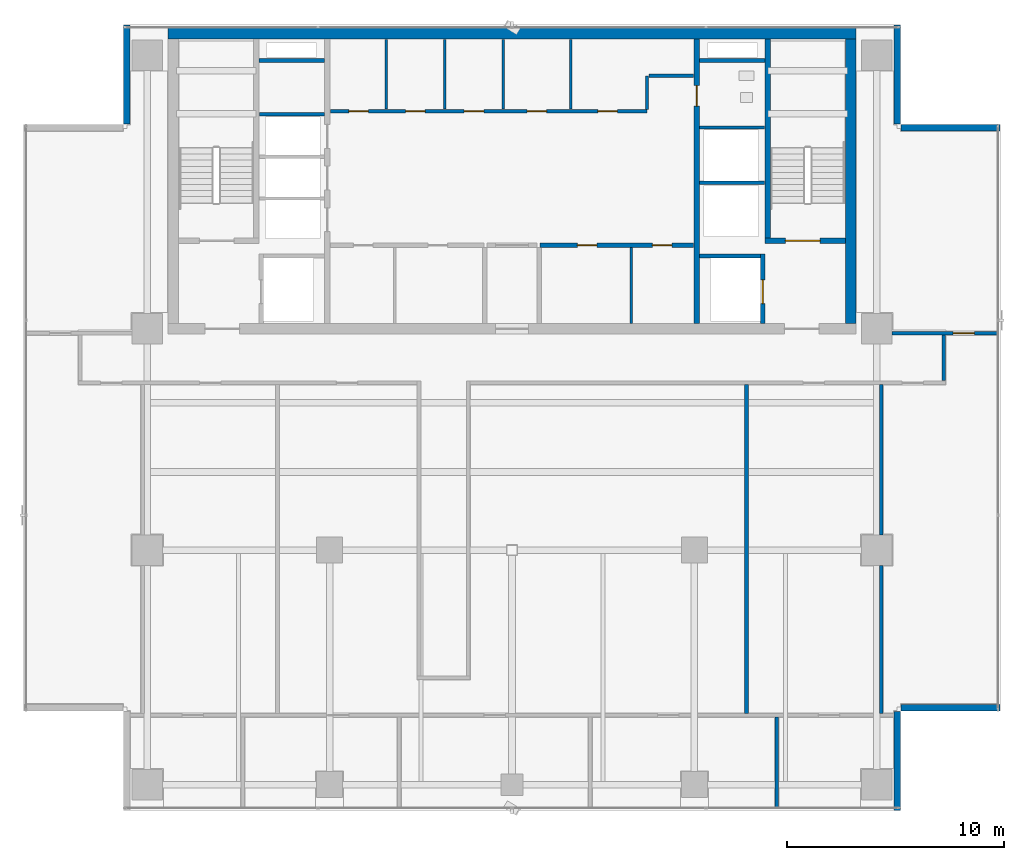
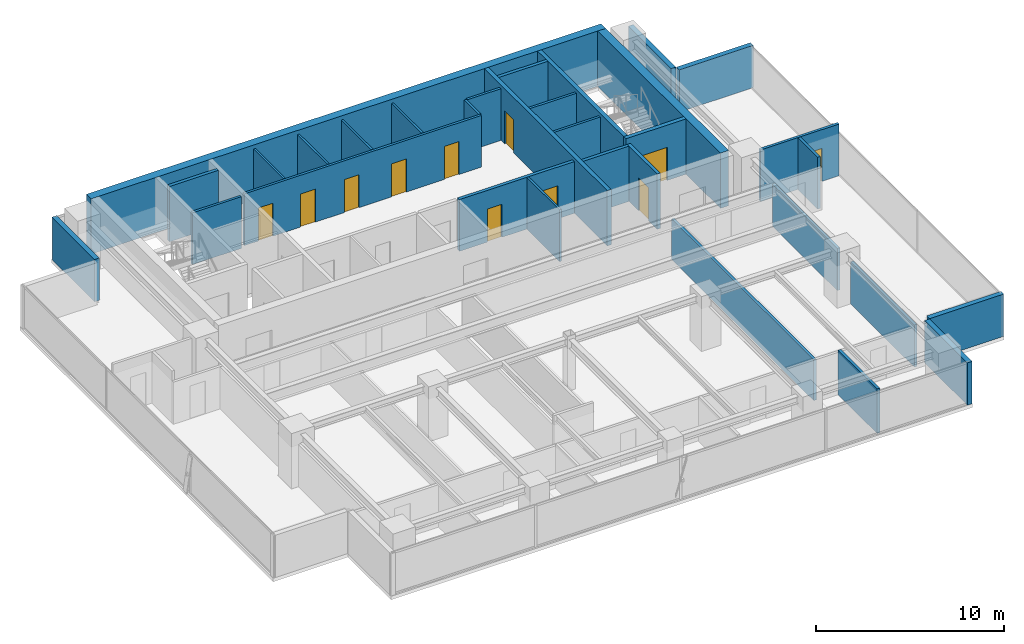
# One storey, part 21 of 26: 32 walls, 11 doors, 11 openings.
"""IFC4 building model written with IfcOpenShell, lengths in metres."""

from ifc_helpers import new_model, si_unit, direction, frame, frame_2d, origin, place, context, subcontext, project, spatial, rectangle, extrude, source, transform, mapped, material, layer, layer_set, type_object, element, fill, save


model = new_model("IFC4")

# Units and contexts
model_context = context("Model", 3, precision=1e-05, world=origin(), true_north=direction((0.0, 1.0)))
body_context = subcontext(model_context, "Body", "Model", "MODEL_VIEW")
ifc_project = project(units=[si_unit("LENGTHUNIT", "METRE"), si_unit("AREAUNIT", "SQUARE_METRE"), si_unit("VOLUMEUNIT", "CUBIC_METRE"), si_unit("PLANEANGLEUNIT", "RADIAN"), si_unit("MASSUNIT", "GRAM", prefix="KILO")], contexts=[model_context])

# Site, building, storey
site_placement = place(None, origin())
site = spatial("IfcSite", under=ifc_project, at=site_placement, CompositionType="ELEMENT")
building_placement = place(site_placement, origin())
building = spatial("IfcBuilding", under=site, at=building_placement, Name="Sumidabori Civic Tower", CompositionType="ELEMENT")
storey_placement = place(building_placement, frame((0.0, 0.0, 254.0)))
storey = spatial("IfcBuildingStorey", under=building, at=storey_placement, Name="L66", CompositionType="ELEMENT", Elevation=254.0)

# Walls
ifc_material_1 = material(Name="Concrete C50/60", Category="concrete")
ifc_layer_1 = layer(ifc_material_1, 0.199951171875, Name="Concrete C50/60")
ifc_layer_set_1 = layer_set([ifc_layer_1], Name="Concrete C50/60")
wall_type_1 = type_object("IfcWallType", Name="WL-SHAFT-200", PredefinedType="SHEAR", material=ifc_layer_set_1)
shared_shape_1 = source(origin(), body_context, "Body", "SweptSolid", [
    extrude(rectangle(XDim=2.824951171875, YDim=0.199951171875, at=frame_2d((1.41259765625, 0.0))), origin(), (0.0, 0.0, 1.0), 3.60009765625),
])
wall_1_placement = place(storey_placement, frame((8.625, 13.550048828125, 0.0), z_axis=(0.0, 0.0, 1.0), x_axis=(1.0, 0.0, 0.0)))
element("IfcWall", 1, at=wall_1_placement, inside=storey, type_object=wall_type_1, Name="Core Shear Wall L66 EL2-N", PredefinedType="SHEAR", context=body_context, shape_type="MappedRepresentation", body=[
    mapped(shared_shape_1, transform((0.0, 0.0, 0.0), x_axis=(1.0, 0.0, 0.0), y_axis=(0.0, 1.0, 0.0), z_axis=(0.0, 0.0, 1.0), scale=1.0)),
])
shared_shape_2 = source(origin(), body_context, "Body", "SweptSolid", [
    extrude(rectangle(XDim=3.02001953125, YDim=0.199951171875, at=frame_2d((1.510009765625, 0.0))), origin(), (0.0, 0.0, 1.0), 3.60009765625),
])
for number, where, z_axis, x_axis, name in (
    (2, (-11.64501953125, 22.550048828125, 0.0), (0.0, 0.0, 1.0), (1.0, 0.0, 0.0), "Core Shear Wall L66 RIS1-S"),
    (3, (8.625, 22.550048828125, 0.0), (0.0, 0.0, 1.0), (1.0, 0.0, 0.0), "Core Shear Wall L66 RIS2-S"),
):
    element("IfcWall", number, at=place(storey_placement, frame(where, z_axis=z_axis, x_axis=x_axis)), inside=storey, type_object=wall_type_1, Name=name, PredefinedType="SHEAR", context=body_context, shape_type="MappedRepresentation", body=[
        mapped(shared_shape_2, transform((0.0, 0.0, 0.0), x_axis=(1.0, 0.0, 0.0), y_axis=(0.0, 1.0, 0.0), z_axis=(0.0, 0.0, 1.0), scale=1.0)),
    ])
ifc_layer_2 = layer(ifc_material_1, 0.5, Name="Concrete C50/60")
ifc_layer_set_2 = layer_set([ifc_layer_2], Name="Concrete C50/60")
wall_type_2 = type_object("IfcWallType", Name="WL-CORE-500", PredefinedType="SHEAR", material=ifc_layer_set_2)
shared_shape_3 = source(origin(), body_context, "Body", "SweptSolid", [
    extrude(rectangle(XDim=31.7001953125, YDim=0.5, at=frame_2d((15.85009765625, 0.0))), origin(), (0.0, 0.0, 1.0), 3.60009765625),
])
wall_2_placement = place(storey_placement, frame((-15.85009765625, 23.800048828125, 0.0), z_axis=(0.0, 0.0, 1.0), x_axis=(1.0, 0.0, 0.0)))
element("IfcWall", 4, at=wall_2_placement, inside=storey, type_object=wall_type_2, Name="Core Shear Wall L66 N", PredefinedType="SHEAR", context=body_context, shape_type="MappedRepresentation", body=[
    mapped(shared_shape_3, transform((0.0, 0.0, 0.0), x_axis=(1.0, 0.0, 0.0), y_axis=(0.0, 1.0, 0.0), z_axis=(0.0, 0.0, 1.0), scale=1.0)),
])
shared_shape_4 = source(origin(), body_context, "Body", "SweptSolid", [
    extrude(rectangle(XDim=13.10009765625, YDim=0.5, at=frame_2d((6.550048828125, 0.0))), origin(), (0.0, 0.0, 1.0), 3.60009765625),
])
wall_3_placement = place(storey_placement, frame((15.60009765625, 10.449951171875, 0.0), z_axis=(0.0, 0.0, 1.0), x_axis=(0.0, 1.0, 0.0)))
element("IfcWall", 5, at=wall_3_placement, inside=storey, type_object=wall_type_2, Name="Core Shear Wall L66 E", PredefinedType="SHEAR", context=body_context, shape_type="MappedRepresentation", body=[
    mapped(shared_shape_4, transform((0.0, 0.0, 0.0), x_axis=(1.0, 0.0, 0.0), y_axis=(0.0, 1.0, 0.0), z_axis=(0.0, 0.0, 1.0), scale=1.0)),
])

# Wall, opening, door
ifc_layer_3 = layer(ifc_material_1, 0.25, Name="Concrete C50/60")
ifc_layer_set_3 = layer_set([ifc_layer_3], Name="Concrete C50/60")
wall_type_3 = type_object("IfcWallType", Name="WL-SHAFT-250", PredefinedType="SHEAR", material=ifc_layer_set_3)
shared_shape_5 = source(origin(), body_context, "Body", "SweptSolid", [
    extrude(rectangle(XDim=13.10009765625, YDim=0.25, at=frame_2d((6.550048828125, 0.0))), origin(), (0.0, 0.0, 1.0), 3.60009765625),
])
wall_4_placement = place(storey_placement, frame((8.5, 10.449951171875, 0.0), z_axis=(0.0, 0.0, 1.0), x_axis=(0.0, 1.0, 0.0)))
wall_4 = element("IfcWall", 6, at=wall_4_placement, inside=storey, type_object=wall_type_3, Name="Core Shear Wall L66 WEB-E", PredefinedType="SHEAR", context=body_context, shape_type="MappedRepresentation", body=[
    mapped(shared_shape_5, transform((0.0, 0.0, 0.0), x_axis=(1.0, 0.0, 0.0), y_axis=(0.0, 1.0, 0.0), z_axis=(0.0, 0.0, 1.0), scale=1.0)),
])
opening_1_placement = place(wall_4_placement, frame((10.0, 0.0, 0.0)))
opening_1 = element("IfcOpeningElement", 7, at=opening_1_placement, cuts=wall_4, Name="Opening DR-2", PredefinedType="OPENING", context=body_context, shape_type="SweptSolid", body=[
    extrude(rectangle(XDim=0.949951171875, YDim=2.14990234375, at=frame_2d((0.47509765625, 1.074951171875))), frame((0.0, 0.136962890625, 0.0), z_axis=(0.0, -1.0, 0.0), x_axis=(1.0, 0.0, 0.0)), (0.0, 0.0, 1.0), 0.27392578125),
])
ifc_material_2 = material(Name="Japanese Hinoki Timber", Category="wood")
door_type_1 = type_object("IfcDoorType", Name="DR-INT-950", OperationType="NOTDEFINED", PredefinedType="DOOR", material=ifc_material_2)
shared_shape_6 = source(origin(), body_context, "Body", "SweptSolid", [
    extrude(rectangle(XDim=0.949951171875, YDim=2.14990234375, at=frame_2d((0.47509765625, 1.074951171875))), frame((0.0, 0.02490234375, 0.0), z_axis=(0.0, -1.0, 0.0), x_axis=(1.0, 0.0, 0.0)), (0.0, 0.0, 1.0), 0.050048828125),
])
door_1_placement = place(opening_1_placement, origin())
door_1 = element("IfcDoor", 8, at=door_1_placement, inside=storey, type_object=door_type_1, Name="Door DR:L66:WC-ACC", OperationType="SINGLE_SWING_RIGHT", OverallHeight=2.14990234375, OverallWidth=0.949951171875, PredefinedType="DOOR", context=body_context, shape_type="MappedRepresentation", body=[
    mapped(shared_shape_6, transform((0.0, 0.0, 0.0), x_axis=(1.0, 0.0, 0.0), y_axis=(0.0, 1.0, 0.0), z_axis=(0.0, 0.0, 1.0), scale=1.0)),
])
fill(opening_1, door_1)

shared_shape_7 = source(origin(), body_context, "Body", "SweptSolid", [
    extrude(rectangle(XDim=3.705078125, YDim=0.25, at=frame_2d((1.8525390625, 0.0))), origin(), (0.0, 0.0, 1.0), 3.60009765625),
])
wall_5_placement = place(storey_placement, frame((11.64501953125, 14.25, 0.0), z_axis=(0.0, 0.0, 1.0), x_axis=(1.0, 0.0, 0.0)))
wall_5 = element("IfcWall", 9, at=wall_5_placement, inside=storey, type_object=wall_type_3, Name="Core Shear Wall L66 ST2-S", PredefinedType="SHEAR", context=body_context, shape_type="MappedRepresentation", body=[
    mapped(shared_shape_7, transform((0.0, 0.0, 0.0), x_axis=(1.0, 0.0, 0.0), y_axis=(0.0, 1.0, 0.0), z_axis=(0.0, 0.0, 1.0), scale=1.0)),
])
opening_2_placement = place(wall_5_placement, frame((0.949951171875, 0.0, 0.0)))
opening_2 = element("IfcOpeningElement", 10, at=opening_2_placement, cuts=wall_5, Name="Opening DR-FD4", PredefinedType="OPENING", context=body_context, shape_type="SweptSolid", body=[
    extrude(rectangle(XDim=1.60009765625, YDim=2.14990234375, at=frame_2d((0.800048828125, 1.074951171875))), frame((0.0, 0.136962890625, 0.0), z_axis=(0.0, -1.0, 0.0), x_axis=(1.0, 0.0, 0.0)), (0.0, 0.0, 1.0), 0.27392578125),
])
ifc_material_3 = material(Name="Steel SN490", Category="steel")
door_type_2 = type_object("IfcDoorType", Name="DR-FD4", OperationType="DOUBLE_DOOR_SINGLE_SWING", PredefinedType="DOOR", material=ifc_material_3)
shared_shape_8 = source(origin(), body_context, "Body", "SweptSolid", [
    extrude(rectangle(XDim=1.60009765625, YDim=2.14990234375, at=frame_2d((0.800048828125, 1.074951171875))), frame((0.0, 0.02490234375, 0.0), z_axis=(0.0, -1.0, 0.0), x_axis=(1.0, 0.0, 0.0)), (0.0, 0.0, 1.0), 0.050048828125),
])
door_2_placement = place(opening_2_placement, origin())
door_2 = element("IfcDoor", 11, at=door_2_placement, inside=storey, type_object=door_type_2, Name="Door DR:L66:ST2", OperationType="DOUBLE_DOOR_SINGLE_SWING", OverallHeight=2.14990234375, OverallWidth=1.60009765625, PredefinedType="DOOR", context=body_context, shape_type="MappedRepresentation", body=[
    mapped(shared_shape_8, transform((0.0, 0.0, 0.0), x_axis=(1.0, 0.0, 0.0), y_axis=(0.0, 1.0, 0.0), z_axis=(0.0, 0.0, 1.0), scale=1.0)),
])
fill(opening_2, door_2)

# Wall
shared_shape_9 = source(origin(), body_context, "Body", "SweptSolid", [
    extrude(rectangle(XDim=9.175048828125, YDim=0.25, at=frame_2d((4.58740234375, 0.0))), origin(), (0.0, 0.0, 1.0), 3.60009765625),
])
wall_6_placement = place(storey_placement, frame((11.77001953125, 14.375, 0.0), z_axis=(0.0, 0.0, 1.0), x_axis=(0.0, 1.0, 0.0)))
element("IfcWall", 12, at=wall_6_placement, inside=storey, type_object=wall_type_3, Name="Core Shear Wall L66 ST2-W", PredefinedType="SHEAR", context=body_context, shape_type="MappedRepresentation", body=[
    mapped(shared_shape_9, transform((0.0, 0.0, 0.0), x_axis=(1.0, 0.0, 0.0), y_axis=(0.0, 1.0, 0.0), z_axis=(0.0, 0.0, 1.0), scale=1.0)),
])

# Wall, opening, door
shared_shape_10 = source(origin(), body_context, "Body", "SweptSolid", [
    extrude(rectangle(XDim=3.199951171875, YDim=0.199951171875, at=frame_2d((1.60009765625, 0.0))), origin(), (0.0, 0.0, 1.0), 3.60009765625),
])
wall_7_placement = place(storey_placement, frame((11.550048828125, 10.449951171875, 0.0), z_axis=(0.0, 0.0, 1.0), x_axis=(0.0, 1.0, 0.0)))
wall_7 = element("IfcWall", 13, at=wall_7_placement, inside=storey, type_object=wall_type_1, Name="Core Shear Wall L66 EL2-E", PredefinedType="SHEAR", context=body_context, shape_type="MappedRepresentation", body=[
    mapped(shared_shape_10, transform((0.0, 0.0, 0.0), x_axis=(1.0, 0.0, 0.0), y_axis=(0.0, 1.0, 0.0), z_axis=(0.0, 0.0, 1.0), scale=1.0)),
])
opening_3_placement = place(wall_7_placement, frame((0.89990234375, 0.0, 0.0)))
opening_3 = element("IfcOpeningElement", 14, at=opening_3_placement, cuts=wall_7, Name="Opening LD-2", PredefinedType="OPENING", context=body_context, shape_type="SweptSolid", body=[
    extrude(rectangle(XDim=1.10009765625, YDim=2.14990234375, at=frame_2d((0.550048828125, 1.074951171875))), frame((0.0, 0.11181640625, 0.0), z_axis=(0.0, -1.0, 0.0), x_axis=(1.0, 0.0, 0.0)), (0.0, 0.0, 1.0), 0.223876953125),
])
ifc_material_4 = material(Name="Stainless Steel Hairline Finish", Category="steel")
door_type_3 = type_object("IfcDoorType", Name="DR-LD2", OperationType="DOUBLE_DOOR_SLIDING", PredefinedType="DOOR", material=ifc_material_4)
shared_shape_11 = source(origin(), body_context, "Body", "SweptSolid", [
    extrude(rectangle(XDim=1.10009765625, YDim=2.14990234375, at=frame_2d((0.550048828125, 1.074951171875))), frame((0.0, 0.02490234375, 0.0), z_axis=(0.0, -1.0, 0.0), x_axis=(1.0, 0.0, 0.0)), (0.0, 0.0, 1.0), 0.050048828125),
])
door_3_placement = place(opening_3_placement, origin())
door_3 = element("IfcDoor", 15, at=door_3_placement, inside=storey, type_object=door_type_3, Name="Door DR:L66:LD-EL2", OperationType="DOUBLE_DOOR_SLIDING", OverallHeight=2.14990234375, OverallWidth=1.10009765625, PredefinedType="DOOR", context=body_context, shape_type="MappedRepresentation", body=[
    mapped(shared_shape_11, transform((0.0, 0.0, 0.0), x_axis=(1.0, 0.0, 0.0), y_axis=(0.0, 1.0, 0.0), z_axis=(0.0, 0.0, 1.0), scale=1.0)),
])
fill(opening_3, door_3)

# Walls
ifc_material_5 = material(Name="Precast concrete C40/50", Category="concrete")
ifc_layer_4 = layer(ifc_material_5, 0.300048828125, Name="Precast concrete C40/50")
ifc_layer_set_4 = layer_set([ifc_layer_4], Name="Precast concrete C40/50")
wall_type_4 = type_object("IfcWallType", Name="WL-EXT-POD300", PredefinedType="STANDARD", material=ifc_layer_set_4)
shared_shape_12 = source(origin(), body_context, "Body", "SweptSolid", [
    extrude(rectangle(XDim=4.56005859375, YDim=0.300048828125, at=frame_2d((2.280029296875, 0.0))), origin(), (0.0, 0.0, 1.0), 2.75),
])
for number, where, z_axis, x_axis, name in (
    (16, (17.75, -11.97998046875, 0.0), (0.0, 0.0, 1.0), (0.0, 1.0, 0.0), "Notched Corner Spandrel Band L66-02"),
    (17, (17.919921875, -7.25, 0.0), (0.0, 0.0, 1.0), (1.0, 0.0, 0.0), "Notched Corner Spandrel Band L66-03"),
    (18, (22.47998046875, 19.449951171875, 0.0), (0.0, 0.0, 1.0), (-1.0, 0.0, 0.0), "Notched Corner Spandrel Band L66-05"),
):
    element("IfcWall", number, at=place(storey_placement, frame(where, z_axis=z_axis, x_axis=x_axis)), inside=storey, type_object=wall_type_4, Name=name, PredefinedType="STANDARD", context=body_context, shape_type="MappedRepresentation", body=[
        mapped(shared_shape_12, transform((0.0, 0.0, 0.0), x_axis=(1.0, 0.0, 0.0), y_axis=(0.0, 1.0, 0.0), z_axis=(0.0, 0.0, 1.0), scale=1.0)),
    ])
shared_shape_13 = source(origin(), body_context, "Body", "SweptSolid", [
    extrude(rectangle(XDim=4.559814453125, YDim=0.300048828125, at=frame_2d((2.27978515625, 0.0))), origin(), (0.0, 0.0, 1.0), 2.75),
])
for number, where, z_axis, x_axis, name in (
    (19, (17.75, 19.6201171875, 0.0), (0.0, 0.0, 1.0), (0.0, 1.0, 0.0), "Notched Corner Spandrel Band L66-06"),
    (20, (-17.75, 24.179931640625, 0.0), (0.0, 0.0, 1.0), (0.0, -1.0, 0.0), "Notched Corner Spandrel Band L66-08"),
):
    element("IfcWall", number, at=place(storey_placement, frame(where, z_axis=z_axis, x_axis=x_axis)), inside=storey, type_object=wall_type_4, Name=name, PredefinedType="STANDARD", context=body_context, shape_type="MappedRepresentation", body=[
        mapped(shared_shape_13, transform((0.0, 0.0, 0.0), x_axis=(1.0, 0.0, 0.0), y_axis=(0.0, 1.0, 0.0), z_axis=(0.0, 0.0, 1.0), scale=1.0)),
    ])
ifc_material_6 = material(Name="Gypsum Plasterboard Acoustic Partition")
ifc_layer_5 = layer(ifc_material_6, 0.14990234375, Name="Gypsum Plasterboard Acoustic Partition")
ifc_layer_set_5 = layer_set([ifc_layer_5], Name="Gypsum Plasterboard Acoustic Partition")
wall_type_5 = type_object("IfcWallType", Name="WL-PART-150", PredefinedType="PARTITIONING", material=ifc_layer_set_5)
shared_shape_14 = source(origin(), body_context, "Body", "SweptSolid", [
    extrude(rectangle(XDim=3.010009765625, YDim=0.14990234375, at=frame_2d((1.5048828125, 0.0))), origin(), (0.0, 0.0, 1.0), 3.3701171875),
])
for number, where, z_axis, x_axis, name in (
    (21, (-11.639892578125, 20.080078125, 0.0), (0.0, 0.0, 1.0), (1.0, 0.0, 0.0), "Interior Partition WL:L66:DIV-PLH3"),
    (22, (8.6298828125, 16.919921875, 0.0), (0.0, 0.0, 1.0), (1.0, 0.0, 0.0), "Interior Partition WL:L66:DIV-OBS1"),
    (23, (8.6298828125, 19.469970703125, 0.0), (0.0, 0.0, 1.0), (1.0, 0.0, 0.0), "Interior Partition WL:L66:DIV-OBS2"),
):
    element("IfcWall", number, at=place(storey_placement, frame(where, z_axis=z_axis, x_axis=x_axis)), inside=storey, type_object=wall_type_5, Name=name, PredefinedType="PARTITIONING", context=body_context, shape_type="MappedRepresentation", body=[
        mapped(shared_shape_14, transform((0.0, 0.0, 0.0), x_axis=(1.0, 0.0, 0.0), y_axis=(0.0, 1.0, 0.0), z_axis=(0.0, 0.0, 1.0), scale=1.0)),
    ])

# Wall, openings, doors
ifc_material_7 = material(Name="Gypsum Plasterboard Fire Partition")
ifc_layer_6 = layer(ifc_material_7, 0.199951171875, Name="Gypsum Plasterboard Fire Partition")
ifc_layer_set_6 = layer_set([ifc_layer_6], Name="Gypsum Plasterboard Fire Partition")
wall_type_6 = type_object("IfcWallType", Name="WL-PART-FIRE", PredefinedType="PARTITIONING", material=ifc_layer_set_6)
shared_shape_15 = source(origin(), body_context, "Body", "SweptSolid", [
    extrude(rectangle(XDim=7.070068359375, YDim=0.199951171875, at=frame_2d((3.53515625, 0.0))), origin(), (0.0, 0.0, 1.0), 3.3701171875),
])
wall_8_placement = place(storey_placement, frame((1.300048828125, 14.050048828125, 0.0), z_axis=(0.0, 0.0, 1.0), x_axis=(1.0, 0.0, 0.0)))
wall_8 = element("IfcWall", 24, at=wall_8_placement, inside=storey, type_object=wall_type_6, Name="Interior Partition WL:L66:CBAND-SE", PredefinedType="PARTITIONING", context=body_context, shape_type="MappedRepresentation", body=[
    mapped(shared_shape_15, transform((0.0, 0.0, 0.0), x_axis=(1.0, 0.0, 0.0), y_axis=(0.0, 1.0, 0.0), z_axis=(0.0, 0.0, 1.0), scale=1.0)),
])
opening_4_placement = place(wall_8_placement, frame((1.7099609375, 0.0, 0.0)))
opening_4 = element("IfcOpeningElement", 25, at=opening_4_placement, cuts=wall_8, Name="Opening DR-1", PredefinedType="OPENING", context=body_context, shape_type="SweptSolid", body=[
    extrude(rectangle(XDim=0.89990234375, YDim=2.14990234375, at=frame_2d((0.449951171875, 1.074951171875))), frame((0.0, 0.11181640625, 0.0), z_axis=(0.0, -1.0, 0.0), x_axis=(1.0, 0.0, 0.0)), (0.0, 0.0, 1.0), 0.223876953125),
])
opening_5_placement = place(wall_8_placement, frame((5.159912109375, 0.0, 0.0)))
opening_5 = element("IfcOpeningElement", 26, at=opening_5_placement, cuts=wall_8, Name="Opening DR-1", PredefinedType="OPENING", context=body_context, shape_type="SweptSolid", body=[
    extrude(rectangle(XDim=0.89990234375, YDim=2.14990234375, at=frame_2d((0.449951171875, 1.074951171875))), frame((0.0, 0.11181640625, 0.0), z_axis=(0.0, -1.0, 0.0), x_axis=(1.0, 0.0, 0.0)), (0.0, 0.0, 1.0), 0.223876953125),
])
door_type_4 = type_object("IfcDoorType", Name="DR-INT-900", OperationType="NOTDEFINED", PredefinedType="DOOR", material=ifc_material_2)
shared_shape_16 = source(origin(), body_context, "Body", "SweptSolid", [
    extrude(rectangle(XDim=0.89990234375, YDim=2.14990234375, at=frame_2d((0.449951171875, 1.074951171875))), frame((0.0, 0.02490234375, 0.0), z_axis=(0.0, -1.0, 0.0), x_axis=(1.0, 0.0, 0.0)), (0.0, 0.0, 1.0), 0.050048828125),
])
door_4_placement = place(opening_4_placement, origin())
door_4 = element("IfcDoor", 27, at=door_4_placement, inside=storey, type_object=door_type_4, Name="Door DR:L66:REC-B2A", OperationType="SINGLE_SWING_LEFT", OverallHeight=2.14990234375, OverallWidth=0.89990234375, PredefinedType="DOOR", context=body_context, shape_type="MappedRepresentation", body=[
    mapped(shared_shape_16, transform((0.0, 0.0, 0.0), x_axis=(1.0, 0.0, 0.0), y_axis=(0.0, 1.0, 0.0), z_axis=(0.0, 0.0, 1.0), scale=1.0)),
])
fill(opening_4, door_4)
door_5_placement = place(opening_5_placement, origin())
door_5 = element("IfcDoor", 28, at=door_5_placement, inside=storey, type_object=door_type_4, Name="Door DR:L66:REC-B2B", OperationType="SINGLE_SWING_RIGHT", OverallHeight=2.14990234375, OverallWidth=0.89990234375, PredefinedType="DOOR", context=body_context, shape_type="MappedRepresentation", body=[
    mapped(shared_shape_16, transform((0.0, 0.0, 0.0), x_axis=(1.0, 0.0, 0.0), y_axis=(0.0, 1.0, 0.0), z_axis=(0.0, 0.0, 1.0), scale=1.0)),
])
fill(opening_5, door_5)

shared_shape_17 = source(origin(), body_context, "Body", "SweptSolid", [
    extrude(rectangle(XDim=14.590087890625, YDim=0.14990234375, at=frame_2d((7.294921875, 0.0))), origin(), (0.0, 0.0, 1.0), 3.3701171875),
])
wall_9_placement = place(storey_placement, frame((-8.3701171875, 20.219970703125, 0.0), z_axis=(0.0, 0.0, 1.0), x_axis=(1.0, 0.0, 0.0)))
wall_9 = element("IfcWall", 29, at=wall_9_placement, inside=storey, type_object=wall_type_5, Name="Interior Partition WL:L66:CBAND-M", PredefinedType="PARTITIONING", context=body_context, shape_type="MappedRepresentation", body=[
    mapped(shared_shape_17, transform((0.0, 0.0, 0.0), x_axis=(1.0, 0.0, 0.0), y_axis=(0.0, 1.0, 0.0), z_axis=(0.0, 0.0, 1.0), scale=1.0)),
])
opening_6_placement = place(wall_9_placement, frame((0.860107421875, 0.0, 0.0)))
opening_6 = element("IfcOpeningElement", 30, at=opening_6_placement, cuts=wall_9, Name="Opening DR-1", PredefinedType="OPENING", context=body_context, shape_type="SweptSolid", body=[
    extrude(rectangle(XDim=0.89990234375, YDim=2.14990234375, at=frame_2d((0.449951171875, 1.074951171875))), frame((0.0, 0.0869140625, 0.0), z_axis=(0.0, -1.0, 0.0), x_axis=(1.0, 0.0, 0.0)), (0.0, 0.0, 1.0), 0.173828125),
])
opening_7_placement = place(wall_9_placement, frame((3.469970703125, 0.0, 0.0)))
opening_7 = element("IfcOpeningElement", 31, at=opening_7_placement, cuts=wall_9, Name="Opening DR-1", PredefinedType="OPENING", context=body_context, shape_type="SweptSolid", body=[
    extrude(rectangle(XDim=0.89990234375, YDim=2.14990234375, at=frame_2d((0.449951171875, 1.074951171875))), frame((0.0, 0.0869140625, 0.0), z_axis=(0.0, -1.0, 0.0), x_axis=(1.0, 0.0, 0.0)), (0.0, 0.0, 1.0), 0.173828125),
])
opening_8_placement = place(wall_9_placement, frame((6.169921875, 0.0, 0.0)))
opening_8 = element("IfcOpeningElement", 32, at=opening_8_placement, cuts=wall_9, Name="Opening DR-1", PredefinedType="OPENING", context=body_context, shape_type="SweptSolid", body=[
    extrude(rectangle(XDim=0.89990234375, YDim=2.14990234375, at=frame_2d((0.449951171875, 1.074951171875))), frame((0.0, 0.0869140625, 0.0), z_axis=(0.0, -1.0, 0.0), x_axis=(1.0, 0.0, 0.0)), (0.0, 0.0, 1.0), 0.173828125),
])
opening_9_placement = place(wall_9_placement, frame((9.070068359375, 0.0, 0.0)))
opening_9 = element("IfcOpeningElement", 33, at=opening_9_placement, cuts=wall_9, Name="Opening DR-1", PredefinedType="OPENING", context=body_context, shape_type="SweptSolid", body=[
    extrude(rectangle(XDim=0.89990234375, YDim=2.14990234375, at=frame_2d((0.449951171875, 1.074951171875))), frame((0.0, 0.0869140625, 0.0), z_axis=(0.0, -1.0, 0.0), x_axis=(1.0, 0.0, 0.0)), (0.0, 0.0, 1.0), 0.173828125),
])
opening_10_placement = place(wall_9_placement, frame((12.320068359375, 0.0, 0.0)))
opening_10 = element("IfcOpeningElement", 34, at=opening_10_placement, cuts=wall_9, Name="Opening DR-1", PredefinedType="OPENING", context=body_context, shape_type="SweptSolid", body=[
    extrude(rectangle(XDim=0.89990234375, YDim=2.14990234375, at=frame_2d((0.449951171875, 1.074951171875))), frame((0.0, 0.0869140625, 0.0), z_axis=(0.0, -1.0, 0.0), x_axis=(1.0, 0.0, 0.0)), (0.0, 0.0, 1.0), 0.173828125),
])
door_6_placement = place(opening_6_placement, origin())
door_6 = element("IfcDoor", 35, at=door_6_placement, inside=storey, type_object=door_type_4, Name="Door DR:L66:CB-1", OperationType="SINGLE_SWING_LEFT", OverallHeight=2.14990234375, OverallWidth=0.89990234375, PredefinedType="DOOR", context=body_context, shape_type="MappedRepresentation", body=[
    mapped(shared_shape_16, transform((0.0, 0.0, 0.0), x_axis=(1.0, 0.0, 0.0), y_axis=(0.0, 1.0, 0.0), z_axis=(0.0, 0.0, 1.0), scale=1.0)),
])
fill(opening_6, door_6)
door_7_placement = place(opening_7_placement, origin())
door_7 = element("IfcDoor", 36, at=door_7_placement, inside=storey, type_object=door_type_4, Name="Door DR:L66:CB-2", OperationType="SINGLE_SWING_RIGHT", OverallHeight=2.14990234375, OverallWidth=0.89990234375, PredefinedType="DOOR", context=body_context, shape_type="MappedRepresentation", body=[
    mapped(shared_shape_16, transform((0.0, 0.0, 0.0), x_axis=(1.0, 0.0, 0.0), y_axis=(0.0, 1.0, 0.0), z_axis=(0.0, 0.0, 1.0), scale=1.0)),
])
fill(opening_7, door_7)
door_8_placement = place(opening_8_placement, origin())
door_8 = element("IfcDoor", 37, at=door_8_placement, inside=storey, type_object=door_type_4, Name="Door DR:L66:CB-3", OperationType="SINGLE_SWING_LEFT", OverallHeight=2.14990234375, OverallWidth=0.89990234375, PredefinedType="DOOR", context=body_context, shape_type="MappedRepresentation", body=[
    mapped(shared_shape_16, transform((0.0, 0.0, 0.0), x_axis=(1.0, 0.0, 0.0), y_axis=(0.0, 1.0, 0.0), z_axis=(0.0, 0.0, 1.0), scale=1.0)),
])
fill(opening_8, door_8)
door_9_placement = place(opening_9_placement, origin())
door_9 = element("IfcDoor", 38, at=door_9_placement, inside=storey, type_object=door_type_4, Name="Door DR:L66:CB-4", OperationType="SINGLE_SWING_RIGHT", OverallHeight=2.14990234375, OverallWidth=0.89990234375, PredefinedType="DOOR", context=body_context, shape_type="MappedRepresentation", body=[
    mapped(shared_shape_16, transform((0.0, 0.0, 0.0), x_axis=(1.0, 0.0, 0.0), y_axis=(0.0, 1.0, 0.0), z_axis=(0.0, 0.0, 1.0), scale=1.0)),
])
fill(opening_9, door_9)
door_10_placement = place(opening_10_placement, origin())
door_10 = element("IfcDoor", 39, at=door_10_placement, inside=storey, type_object=door_type_4, Name="Door DR:L66:CB-5", OperationType="SINGLE_SWING_LEFT", OverallHeight=2.14990234375, OverallWidth=0.89990234375, PredefinedType="DOOR", context=body_context, shape_type="MappedRepresentation", body=[
    mapped(shared_shape_16, transform((0.0, 0.0, 0.0), x_axis=(1.0, 0.0, 0.0), y_axis=(0.0, 1.0, 0.0), z_axis=(0.0, 0.0, 1.0), scale=1.0)),
])
fill(opening_10, door_10)

# Walls
shared_shape_18 = source(origin(), body_context, "Body", "SweptSolid", [
    extrude(rectangle(XDim=1.550048828125, YDim=0.14990234375, at=frame_2d((0.77490234375, 0.0))), origin(), (0.0, 0.0, 1.0), 3.3701171875),
])
wall_10_placement = place(storey_placement, frame((6.219970703125, 20.300048828125, 0.0), z_axis=(0.0, 0.0, 1.0), x_axis=(0.0, 1.0, 0.0)))
element("IfcWall", 40, at=wall_10_placement, inside=storey, type_object=wall_type_5, Name="Interior Partition WL:L66:CBAND-ME1", PredefinedType="PARTITIONING", context=body_context, shape_type="MappedRepresentation", body=[
    mapped(shared_shape_18, transform((0.0, 0.0, 0.0), x_axis=(1.0, 0.0, 0.0), y_axis=(0.0, 1.0, 0.0), z_axis=(0.0, 0.0, 1.0), scale=1.0)),
])
shared_shape_19 = source(origin(), body_context, "Body", "SweptSolid", [
    extrude(rectangle(XDim=2.070068359375, YDim=0.14990234375, at=frame_2d((1.03515625, 0.0))), origin(), (0.0, 0.0, 1.0), 3.3701171875),
])
wall_11_placement = place(storey_placement, frame((6.300048828125, 21.85009765625, 0.0), z_axis=(0.0, 0.0, 1.0), x_axis=(1.0, 0.0, 0.0)))
element("IfcWall", 41, at=wall_11_placement, inside=storey, type_object=wall_type_5, Name="Interior Partition WL:L66:CBAND-ME2", PredefinedType="PARTITIONING", context=body_context, shape_type="MappedRepresentation", body=[
    mapped(shared_shape_19, transform((0.0, 0.0, 0.0), x_axis=(1.0, 0.0, 0.0), y_axis=(0.0, 1.0, 0.0), z_axis=(0.0, 0.0, 1.0), scale=1.0)),
])
ifc_layer_7 = layer(ifc_material_6, 0.1201171875, Name="Gypsum Plasterboard Acoustic Partition")
ifc_layer_set_7 = layer_set([ifc_layer_7], Name="Gypsum Plasterboard Acoustic Partition")
wall_type_7 = type_object("IfcWallType", Name="WL-PART-120", PredefinedType="PARTITIONING", material=ifc_layer_set_7)
shared_shape_20 = source(origin(), body_context, "Body", "SweptSolid", [
    extrude(rectangle(XDim=3.489990234375, YDim=0.1201171875, at=frame_2d((1.7451171875, 0.0))), origin(), (0.0, 0.0, 1.0), 3.3701171875),
])
wall_12_placement = place(storey_placement, frame((5.5, 10.449951171875, 0.0), z_axis=(0.0, 0.0, 1.0), x_axis=(0.0, 1.0, 0.0)))
element("IfcWall", 42, at=wall_12_placement, inside=storey, type_object=wall_type_7, Name="Interior Partition WL:L66:REC-B2-SP", PredefinedType="PARTITIONING", context=body_context, shape_type="MappedRepresentation", body=[
    mapped(shared_shape_20, transform((0.0, 0.0, 0.0), x_axis=(1.0, 0.0, 0.0), y_axis=(0.0, 1.0, 0.0), z_axis=(0.0, 0.0, 1.0), scale=1.0)),
])
shared_shape_21 = source(origin(), body_context, "Body", "SweptSolid", [
    extrude(rectangle(XDim=3.18994140625, YDim=0.1201171875, at=frame_2d((1.594970703125, 0.0))), origin(), (0.0, 0.0, 1.0), 3.3701171875),
])
for number, where, z_axis, x_axis, name in (
    (43, (-5.800048828125, 20.320068359375, 0.0), (0.0, 0.0, 1.0), (0.0, 1.0, 0.0), "Interior Partition WL:L66:LV8-S1"),
    (44, (-3.10009765625, 20.320068359375, 0.0), (0.0, 0.0, 1.0), (0.0, 1.0, 0.0), "Interior Partition WL:L66:LV8-S2"),
    (45, (-0.39990234375, 20.320068359375, 0.0), (0.0, 0.0, 1.0), (0.0, 1.0, 0.0), "Interior Partition WL:L66:LV8-S3"),
    (46, (2.699951171875, 20.320068359375, 0.0), (0.0, 0.0, 1.0), (0.0, 1.0, 0.0), "Interior Partition WL:L66:LV8-S4"),
):
    element("IfcWall", number, at=place(storey_placement, frame(where, z_axis=z_axis, x_axis=x_axis)), inside=storey, type_object=wall_type_7, Name=name, PredefinedType="PARTITIONING", context=body_context, shape_type="MappedRepresentation", body=[
        mapped(shared_shape_21, transform((0.0, 0.0, 0.0), x_axis=(1.0, 0.0, 0.0), y_axis=(0.0, 1.0, 0.0), z_axis=(0.0, 0.0, 1.0), scale=1.0)),
    ])

# Wall, opening, door
ifc_layer_8 = layer(ifc_material_6, 0.1650390625, Name="Gypsum Plasterboard Acoustic Partition")
ifc_layer_set_8 = layer_set([ifc_layer_8], Name="Gypsum Plasterboard Acoustic Partition")
wall_type_8 = type_object("IfcWallType", Name="WL-PART-165", PredefinedType="PARTITIONING", material=ifc_layer_set_8)
shared_shape_22 = source(origin(), body_context, "Body", "SweptSolid", [
    extrude(rectangle(XDim=4.840087890625, YDim=0.1650390625, at=frame_2d((2.419921875, 0.0))), origin(), (0.0, 0.0, 1.0), 3.3701171875),
])
wall_13_placement = place(storey_placement, frame((17.510009765625, 10.0, 0.0), z_axis=(0.0, 0.0, 1.0), x_axis=(1.0, 0.0, 0.0)))
wall_13 = element("IfcWall", 47, at=wall_13_placement, inside=storey, type_object=wall_type_8, Name="Interior Partition WL:L66:FLK-NE", PredefinedType="PARTITIONING", context=body_context, shape_type="MappedRepresentation", body=[
    mapped(shared_shape_22, transform((0.0, 0.0, 0.0), x_axis=(1.0, 0.0, 0.0), y_axis=(0.0, 1.0, 0.0), z_axis=(0.0, 0.0, 1.0), scale=1.0)),
])
opening_11_placement = place(wall_13_placement, frame((2.81005859375, 0.0, 0.0)))
opening_11 = element("IfcOpeningElement", 48, at=opening_11_placement, cuts=wall_13, Name="Opening DR-3", PredefinedType="OPENING", context=body_context, shape_type="SweptSolid", body=[
    extrude(rectangle(XDim=0.97998046875, YDim=2.14990234375, at=frame_2d((0.489990234375, 1.074951171875))), frame((0.0, 0.094482421875, 0.0), z_axis=(0.0, -1.0, 0.0), x_axis=(1.0, 0.0, 0.0)), (0.0, 0.0, 1.0), 0.18896484375),
])
door_type_5 = type_object("IfcDoorType", Name="DR-INT-980", OperationType="NOTDEFINED", PredefinedType="DOOR", material=ifc_material_2)
shared_shape_23 = source(origin(), body_context, "Body", "SweptSolid", [
    extrude(rectangle(XDim=0.97998046875, YDim=2.14990234375, at=frame_2d((0.489990234375, 1.074951171875))), frame((0.0, 0.02490234375, 0.0), z_axis=(0.0, -1.0, 0.0), x_axis=(1.0, 0.0, 0.0)), (0.0, 0.0, 1.0), 0.050048828125),
])
door_11_placement = place(opening_11_placement, origin())
door_11 = element("IfcDoor", 49, at=door_11_placement, inside=storey, type_object=door_type_5, Name="Door DR:L66:D07", OperationType="SINGLE_SWING_LEFT", OverallHeight=2.14990234375, OverallWidth=0.97998046875, PredefinedType="DOOR", context=body_context, shape_type="MappedRepresentation", body=[
    mapped(shared_shape_23, transform((0.0, 0.0, 0.0), x_axis=(1.0, 0.0, 0.0), y_axis=(0.0, 1.0, 0.0), z_axis=(0.0, 0.0, 1.0), scale=1.0)),
])
fill(opening_11, door_11)

# Walls
shared_shape_24 = source(origin(), body_context, "Body", "SweptSolid", [
    extrude(rectangle(XDim=2.107666015625, YDim=0.1650390625, at=frame_2d((1.0537109375, 0.0))), origin(), (0.0, 0.0, 1.0), 3.3701171875),
])
wall_14_placement = place(storey_placement, frame((19.882568359375, 7.804931640625, 0.0), z_axis=(0.0, 0.0, 1.0), x_axis=(0.0, 1.0, 0.0)))
element("IfcWall", 50, at=wall_14_placement, inside=storey, type_object=wall_type_8, Name="Interior Partition WL:L66:CORR-VNE", PredefinedType="PARTITIONING", context=body_context, shape_type="MappedRepresentation", body=[
    mapped(shared_shape_24, transform((0.0, 0.0, 0.0), x_axis=(1.0, 0.0, 0.0), y_axis=(0.0, 1.0, 0.0), z_axis=(0.0, 0.0, 1.0), scale=1.0)),
])
shared_shape_25 = source(origin(), body_context, "Body", "SweptSolid", [
    extrude(rectangle(XDim=6.802490234375, YDim=0.1650390625, at=frame_2d((3.4013671875, 0.0))), origin(), (0.0, 0.0, 1.0), 2.7548828125),
])
wall_15_placement = place(storey_placement, frame((17.0, -7.512451171875, 0.0), z_axis=(0.0, 0.0, 1.0), x_axis=(0.0, 1.0, 0.0)))
element("IfcWall", 51, at=wall_15_placement, inside=storey, type_object=wall_type_8, Name="Interior Partition WL:L66:VX-N4-1", PredefinedType="PARTITIONING", context=body_context, shape_type="MappedRepresentation", body=[
    mapped(shared_shape_25, transform((0.0, 0.0, 0.0), x_axis=(1.0, 0.0, 0.0), y_axis=(0.0, 1.0, 0.0), z_axis=(0.0, 0.0, 1.0), scale=1.0)),
])
shared_shape_26 = source(origin(), body_context, "Body", "SweptSolid", [
    extrude(rectangle(XDim=6.919921875, YDim=0.1650390625, at=frame_2d((3.4599609375, 0.0))), origin(), (0.0, 0.0, 1.0), 2.7548828125),
])
wall_16_placement = place(storey_placement, frame((17.0, 0.7099609375, 0.0), z_axis=(0.0, 0.0, 1.0), x_axis=(0.0, 1.0, 0.0)))
element("IfcWall", 52, at=wall_16_placement, inside=storey, type_object=wall_type_8, Name="Interior Partition WL:L66:VX-N4-2", PredefinedType="PARTITIONING", context=body_context, shape_type="MappedRepresentation", body=[
    mapped(shared_shape_26, transform((0.0, 0.0, 0.0), x_axis=(1.0, 0.0, 0.0), y_axis=(0.0, 1.0, 0.0), z_axis=(0.0, 0.0, 1.0), scale=1.0)),
])
shared_shape_27 = source(origin(), body_context, "Body", "SweptSolid", [
    extrude(rectangle(XDim=15.142333984375, YDim=0.1650390625, at=frame_2d((7.5712890625, 0.0))), origin(), (0.0, 0.0, 1.0), 2.655029296875),
])
wall_17_placement = place(storey_placement, frame((10.800048828125, -7.512451171875, 0.0), z_axis=(0.0, 0.0, 1.0), x_axis=(0.0, 1.0, 0.0)))
element("IfcWall", 53, at=wall_17_placement, inside=storey, type_object=wall_type_8, Name="Interior Partition WL:L66:VX-N3", PredefinedType="PARTITIONING", context=body_context, shape_type="MappedRepresentation", body=[
    mapped(shared_shape_27, transform((0.0, 0.0, 0.0), x_axis=(1.0, 0.0, 0.0), y_axis=(0.0, 1.0, 0.0), z_axis=(0.0, 0.0, 1.0), scale=1.0)),
])
shared_shape_28 = source(origin(), body_context, "Body", "SweptSolid", [
    extrude(rectangle(XDim=4.16259765625, YDim=0.1650390625, at=frame_2d((2.081298828125, 0.0))), origin(), (0.0, 0.0, 1.0), 2.905029296875),
])
wall_18_placement = place(storey_placement, frame((12.199951171875, -11.85009765625, 0.0), z_axis=(0.0, 0.0, 1.0), x_axis=(0.0, 1.0, 0.0)))
element("IfcWall", 54, at=wall_18_placement, inside=storey, type_object=wall_type_8, Name="Interior Partition WL:L66:VX-S5", PredefinedType="PARTITIONING", context=body_context, shape_type="MappedRepresentation", body=[
    mapped(shared_shape_28, transform((0.0, 0.0, 0.0), x_axis=(1.0, 0.0, 0.0), y_axis=(0.0, 1.0, 0.0), z_axis=(0.0, 0.0, 1.0), scale=1.0)),
])

save(model, "model.ifc")
